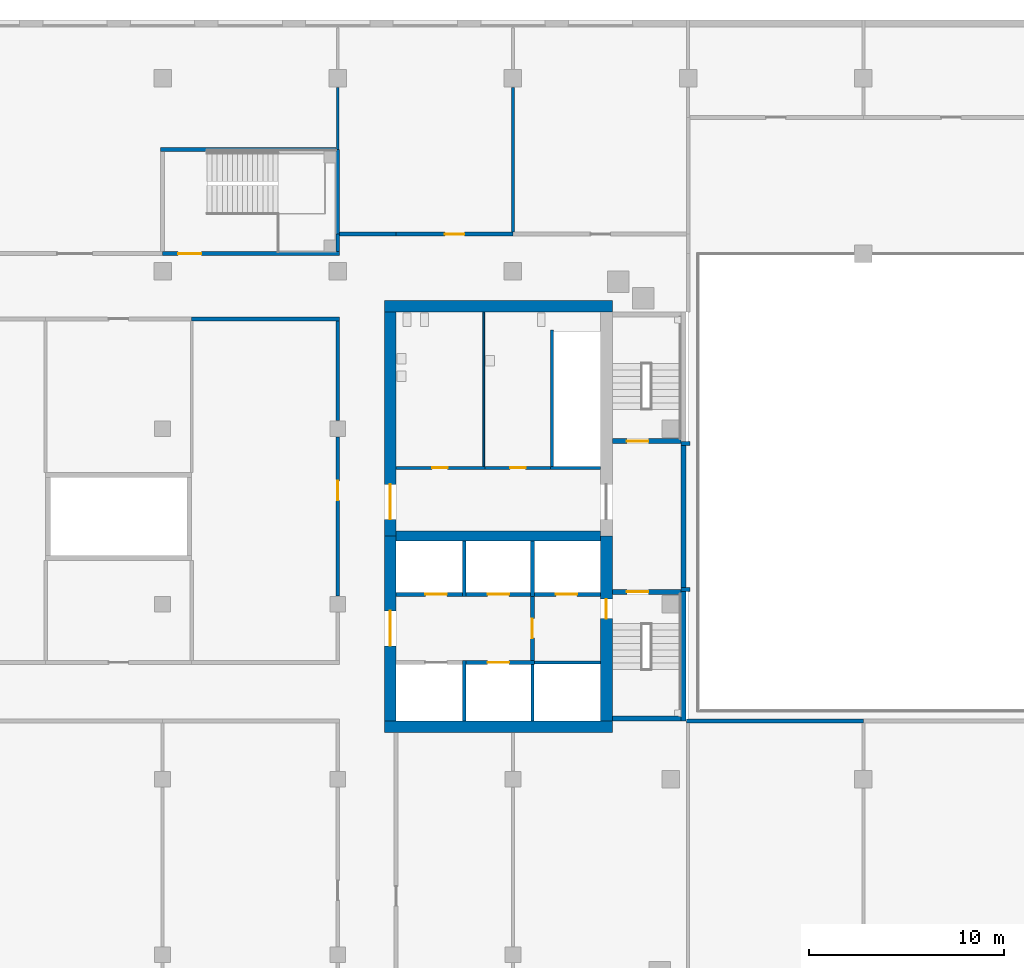
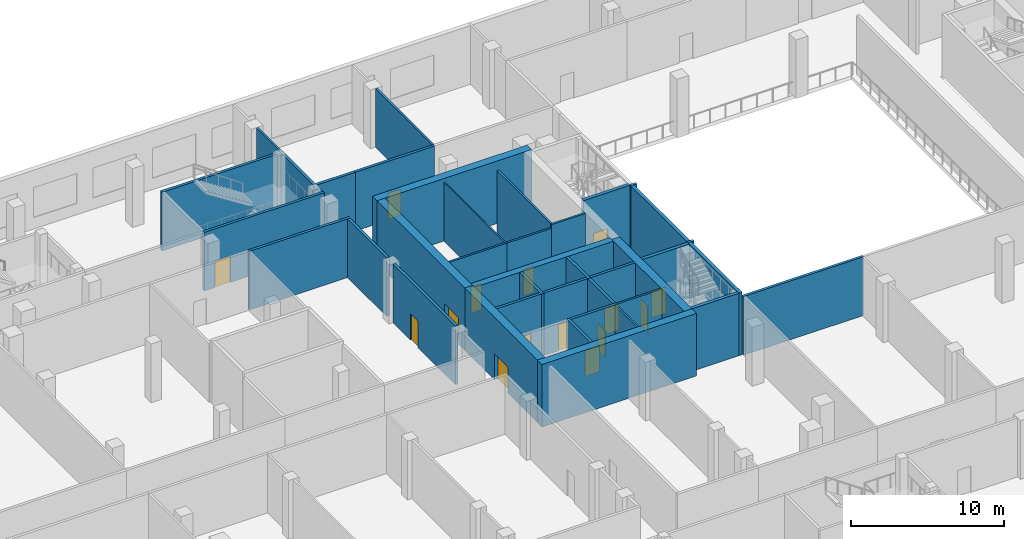
# One storey, part 6 of 21: 40 walls, 15 doors, 15 openings.
"""IFC4 building model written with IfcOpenShell, lengths in metres."""

from ifc_helpers import new_model, si_unit, direction, frame, frame_2d, origin, place, context, subcontext, project, spatial, rectangle, extrude, material, layer, layer_set, type_object, element, fill, save


model = new_model("IFC4")

# Units and contexts
model_context = context("Model", 3, precision=1e-05, world=origin(), true_north=direction((0.0, 1.0)))
body_context = subcontext(model_context, "Body", "Model", "MODEL_VIEW")
ifc_project = project(units=[si_unit("LENGTHUNIT", "METRE"), si_unit("AREAUNIT", "SQUARE_METRE"), si_unit("VOLUMEUNIT", "CUBIC_METRE"), si_unit("PLANEANGLEUNIT", "RADIAN"), si_unit("MASSUNIT", "GRAM", prefix="KILO")], contexts=[model_context])

# Site, building, storey
site_placement = place(None, origin())
site = spatial("IfcSite", under=ifc_project, at=site_placement, CompositionType="ELEMENT")
building_placement = place(site_placement, origin())
building = spatial("IfcBuilding", under=site, at=building_placement, Name="Cinnabar Reach Civic Tower", CompositionType="ELEMENT")
storey_placement = place(building_placement, frame((0.0, 0.0, 16.0)))
storey = spatial("IfcBuildingStorey", under=building, at=storey_placement, Name="L03", CompositionType="ELEMENT", Elevation=16.0)

# Walls
ifc_material_1 = material(Name="Concrete C60", Category="concrete")
ifc_layer_1 = layer(ifc_material_1, 0.5)
ifc_layer_set_1 = layer_set([ifc_layer_1], Name="Core wall 500 EI 180")
wall_type_1 = type_object("IfcWallType", Name="Core wall 500 EI 180", PredefinedType="SOLIDWALL", material=ifc_layer_set_1)
wall_1_placement = place(storey_placement, frame((-42.0, 30.5, 0.0), z_axis=(0.0, 0.0, 1.0), x_axis=(1.0, 0.0, 0.0)))
element("IfcWall", 1, at=wall_1_placement, inside=storey, type_object=wall_type_1, Name="Core spine wall T2 L03", PredefinedType="SOLIDWALL", context=body_context, shape_type="SweptSolid", body=[
    extrude(rectangle(XDim=10.5, YDim=0.5, at=frame_2d((5.25, 0.0))), origin(), (0.0, 0.0, 1.0), 5.0),
])
ifc_material_2 = material(Name="Concrete C70", Category="concrete")
ifc_layer_2 = layer(ifc_material_2, 0.6)
ifc_layer_set_2 = layer_set([ifc_layer_2], Name="Core wall 600 EI 180")
wall_type_2 = type_object("IfcWallType", Name="Core wall 600 EI 180", PredefinedType="SOLIDWALL", material=ifc_layer_set_2)
for number, where, z_axis, x_axis, name in (
    (2, (-42.6, 20.7, 0.0), (0.0, 0.0, 1.0), (1.0, 0.0, 0.0), "Core wall T2 L03 S"),
    (3, (-30.9, 42.3, 0.0), (0.0, 0.0, 1.0), (-1.0, 0.0, 0.0), "Core wall T2 L03 N"),
):
    element("IfcWall", number, at=place(storey_placement, frame(where, z_axis=z_axis, x_axis=x_axis)), inside=storey, type_object=wall_type_2, Name=name, PredefinedType="SOLIDWALL", context=body_context, shape_type="SweptSolid", body=[
        extrude(rectangle(XDim=11.7, YDim=0.6, at=frame_2d((5.85, 0.0))), origin(), (0.0, 0.0, 1.0), 5.0),
    ])

# Wall, opening, door
wall_2_placement = place(storey_placement, frame((-31.2, 21.0, 0.0), z_axis=(0.0, 0.0, 1.0), x_axis=(0.0, 1.0, 0.0)))
wall_2 = element("IfcWall", 4, at=wall_2_placement, inside=storey, type_object=wall_type_2, Name="Core wall T2 L03 E", PredefinedType="SOLIDWALL", context=body_context, shape_type="SweptSolid", body=[
    extrude(rectangle(XDim=9.5, YDim=0.6, at=frame_2d((4.75, 0.0))), origin(), (0.0, 0.0, 1.0), 5.0),
])
opening_1_placement = place(wall_2_placement, frame((5.25, 0.0, 0.0)))
opening_1 = element("IfcOpeningElement", 5, at=opening_1_placement, cuts=wall_2, Name="Opening D6069", PredefinedType="OPENING", context=body_context, shape_type="SweptSolid", body=[
    extrude(rectangle(XDim=1.0, YDim=2.1, at=frame_2d((0.5, 1.05))), frame((0.0, 0.31, 0.0), z_axis=(0.0, -1.0, 0.0), x_axis=(1.0, 0.0, 0.0)), (0.0, 0.0, 1.0), 0.62),
])
ifc_material_3 = material(Name="Steel fire door", Category="steel")
door_type_1 = type_object("IfcDoorType", Name="T2 Firefighting lobby door 1000", OperationType="SINGLE_SWING_LEFT", PredefinedType="DOOR", material=ifc_material_3)
door_1_placement = place(opening_1_placement, frame((1.0, 0.0, 0.0), z_axis=(0.0, 0.0, 1.0), x_axis=(-1.0, 0.0, 0.0)))
door_1 = element("IfcDoor", 6, at=door_1_placement, inside=storey, type_object=door_type_1, Name="T2 Firefighting lobby door D6069", OperationType="SINGLE_SWING_LEFT", OverallHeight=2.1, OverallWidth=1.0, PredefinedType="DOOR", context=body_context, shape_type="SweptSolid", body=[
    extrude(rectangle(XDim=1.0, YDim=2.1, at=frame_2d((0.5, 1.05))), frame((0.0, 0.025, 0.0), z_axis=(0.0, -1.0, 0.0), x_axis=(1.0, 0.0, 0.0)), (0.0, 0.0, 1.0), 0.05),
])
fill(opening_1, door_1)

wall_3_placement = place(storey_placement, frame((-42.3, 42.0, 0.0), z_axis=(0.0, 0.0, 1.0), x_axis=(0.0, -1.0, 0.0)))
wall_3 = element("IfcWall", 7, at=wall_3_placement, inside=storey, type_object=wall_type_2, Name="Core wall T2 L03 W", PredefinedType="SOLIDWALL", context=body_context, shape_type="SweptSolid", body=[
    extrude(rectangle(XDim=11.5, YDim=0.6, at=frame_2d((5.75, 0.0))), origin(), (0.0, 0.0, 1.0), 5.0),
])
opening_2_placement = place(wall_3_placement, frame((8.85, 0.0, 0.0)))
opening_2 = element("IfcOpeningElement", 8, at=opening_2_placement, cuts=wall_3, Name="Opening D6074", PredefinedType="OPENING", context=body_context, shape_type="SweptSolid", body=[
    extrude(rectangle(XDim=1.8, YDim=2.1, at=frame_2d((0.9, 1.05))), frame((0.0, 0.31, 0.0), z_axis=(0.0, -1.0, 0.0), x_axis=(1.0, 0.0, 0.0)), (0.0, 0.0, 1.0), 0.62),
])
door_type_2 = type_object("IfcDoorType", Name="T2 Double door 1800", OperationType="DOUBLE_DOOR_SINGLE_SWING", PredefinedType="DOOR", material=ifc_material_3)
door_2_placement = place(opening_2_placement, frame((1.8, 0.0, 0.0), z_axis=(0.0, 0.0, 1.0), x_axis=(-1.0, 0.0, 0.0)))
door_2 = element("IfcDoor", 9, at=door_2_placement, inside=storey, type_object=door_type_2, Name="T2 Double door D6074", OperationType="DOUBLE_DOOR_SINGLE_SWING", OverallHeight=2.1, OverallWidth=1.8, PredefinedType="DOOR", context=body_context, shape_type="SweptSolid", body=[
    extrude(rectangle(XDim=1.8, YDim=2.1, at=frame_2d((0.9, 1.05))), frame((0.0, 0.025, 0.0), z_axis=(0.0, -1.0, 0.0), x_axis=(1.0, 0.0, 0.0)), (0.0, 0.0, 1.0), 0.05),
])
fill(opening_2, door_2)

wall_4_placement = place(storey_placement, frame((-42.3, 30.5, 0.0), z_axis=(0.0, 0.0, 1.0), x_axis=(0.0, -1.0, 0.0)))
wall_4 = element("IfcWall", 10, at=wall_4_placement, inside=storey, type_object=wall_type_2, Name="Core wall T2 L03 W2", PredefinedType="SOLIDWALL", context=body_context, shape_type="SweptSolid", body=[
    extrude(rectangle(XDim=9.5, YDim=0.6, at=frame_2d((4.75, 0.0))), origin(), (0.0, 0.0, 1.0), 5.0),
])
opening_3_placement = place(wall_4_placement, frame((3.85, 0.0, 0.0)))
opening_3 = element("IfcOpeningElement", 11, at=opening_3_placement, cuts=wall_4, Name="Opening D6073", PredefinedType="OPENING", context=body_context, shape_type="SweptSolid", body=[
    extrude(rectangle(XDim=1.8, YDim=2.1, at=frame_2d((0.9, 1.05))), frame((0.0, 0.31, 0.0), z_axis=(0.0, -1.0, 0.0), x_axis=(1.0, 0.0, 0.0)), (0.0, 0.0, 1.0), 0.62),
])
door_3_placement = place(opening_3_placement, origin())
door_3 = element("IfcDoor", 12, at=door_3_placement, inside=storey, type_object=door_type_2, Name="T2 Double door D6073", OperationType="DOUBLE_DOOR_SINGLE_SWING", OverallHeight=2.1, OverallWidth=1.8, PredefinedType="DOOR", context=body_context, shape_type="SweptSolid", body=[
    extrude(rectangle(XDim=1.8, YDim=2.1, at=frame_2d((0.9, 1.05))), frame((0.0, 0.025, 0.0), z_axis=(0.0, -1.0, 0.0), x_axis=(1.0, 0.0, 0.0)), (0.0, 0.0, 1.0), 0.05),
])
fill(opening_3, door_3)

ifc_material_4 = material(Name="Concrete blockwork", Category="masonry")
ifc_layer_3 = layer(ifc_material_4, 0.2)
ifc_layer_set_3 = layer_set([ifc_layer_3], Name="Podium masonry corridor wall 200 EI 120")
wall_type_3 = type_object("IfcWallType", Name="Podium masonry corridor wall 200 EI 120", PredefinedType="PARTITIONING", material=ifc_layer_set_3)
wall_5_placement = place(storey_placement, frame((-45.0, 27.42, 0.0), z_axis=(0.0, 0.0, 1.0), x_axis=(0.0, 1.0, 0.0)))
wall_5 = element("IfcWall", 13, at=wall_5_placement, inside=storey, type_object=wall_type_3, Name="Wall L03 71", PredefinedType="PARTITIONING", context=body_context, shape_type="SweptSolid", body=[
    extrude(rectangle(XDim=8.16, YDim=0.2, at=frame_2d((4.08, 0.0))), origin(), (0.0, 0.0, 1.0), 4.7),
])
opening_4_placement = place(wall_5_placement, frame((4.905, 0.0, 0.0)))
opening_4 = element("IfcOpeningElement", 14, at=opening_4_placement, cuts=wall_5, Name="Opening D1197", PredefinedType="OPENING", context=body_context, shape_type="SweptSolid", body=[
    extrude(rectangle(XDim=1.0, YDim=2.1, at=frame_2d((0.5, 1.05))), frame((0.0, 0.11, 0.0), z_axis=(0.0, -1.0, 0.0), x_axis=(1.0, 0.0, 0.0)), (0.0, 0.0, 1.0), 0.22),
])
ifc_material_5 = material(Name="Painted steel door leaf", Category="steel")
door_type_3 = type_object("IfcDoorType", Name="Podium single door 1000x2100", OperationType="SINGLE_SWING_LEFT", PredefinedType="DOOR", material=ifc_material_5)
door_4_placement = place(opening_4_placement, origin())
door_4 = element("IfcDoor", 15, at=door_4_placement, inside=storey, type_object=door_type_3, Name="Door D1197", OperationType="SINGLE_SWING_RIGHT", OverallHeight=2.1, OverallWidth=1.0, PredefinedType="DOOR", context=body_context, shape_type="SweptSolid", body=[
    extrude(rectangle(XDim=1.0, YDim=2.1, at=frame_2d((0.5, 1.05))), frame((0.0, 0.025, 0.0), z_axis=(0.0, -1.0, 0.0), x_axis=(1.0, 0.0, 0.0)), (0.0, 0.0, 1.0), 0.05),
])
fill(opening_4, door_4)

# Walls
wall_6_placement = place(storey_placement, frame((-45.0, 36.42, 0.0), z_axis=(0.0, 0.0, 1.0), x_axis=(0.0, 1.0, 0.0)))
element("IfcWall", 16, at=wall_6_placement, inside=storey, type_object=wall_type_3, Name="Wall L03 72", PredefinedType="PARTITIONING", context=body_context, shape_type="SweptSolid", body=[
    extrude(rectangle(XDim=5.13, YDim=0.2, at=frame_2d((2.565, 0.0))), origin(), (0.0, 0.0, 1.0), 4.7),
])
wall_7_placement = place(storey_placement, frame((-52.5, 41.65, 0.0), z_axis=(0.0, 0.0, 1.0), x_axis=(1.0, 0.0, 0.0)))
element("IfcWall", 17, at=wall_7_placement, inside=storey, type_object=wall_type_3, Name="Wall L03 85", PredefinedType="PARTITIONING", context=body_context, shape_type="SweptSolid", body=[
    extrude(rectangle(XDim=7.6, YDim=0.2, at=frame_2d((3.8, 0.0))), origin(), (0.0, 0.0, 1.0), 4.7),
])
wall_8_placement = place(storey_placement, frame((-44.9, 46.0, 0.0), z_axis=(0.0, 0.0, 1.0), x_axis=(1.0, 0.0, 0.0)))
element("IfcWall", 18, at=wall_8_placement, inside=storey, type_object=wall_type_3, Name="Wall L03 89", PredefinedType="PARTITIONING", context=body_context, shape_type="SweptSolid", body=[
    extrude(rectangle(XDim=2.9, YDim=0.2, at=frame_2d((1.45, 0.0))), origin(), (0.0, 0.0, 1.0), 4.7),
])

# Wall, opening, door
wall_9_placement = place(storey_placement, frame((-42.0, 46.0, 0.0), z_axis=(0.0, 0.0, 1.0), x_axis=(1.0, 0.0, 0.0)))
wall_9 = element("IfcWall", 19, at=wall_9_placement, inside=storey, type_object=wall_type_3, Name="Wall L03 92", PredefinedType="PARTITIONING", context=body_context, shape_type="SweptSolid", body=[
    extrude(rectangle(XDim=6.0, YDim=0.2, at=frame_2d((3.0, 0.0))), origin(), (0.0, 0.0, 1.0), 4.7),
])
opening_5_placement = place(wall_9_placement, frame((2.5, 0.0, 0.0)))
opening_5 = element("IfcOpeningElement", 20, at=opening_5_placement, cuts=wall_9, Name="Opening D1206", PredefinedType="OPENING", context=body_context, shape_type="SweptSolid", body=[
    extrude(rectangle(XDim=1.0, YDim=2.1, at=frame_2d((0.5, 1.05))), frame((0.0, 0.11, 0.0), z_axis=(0.0, -1.0, 0.0), x_axis=(1.0, 0.0, 0.0)), (0.0, 0.0, 1.0), 0.22),
])
door_5_placement = place(opening_5_placement, origin())
door_5 = element("IfcDoor", 21, at=door_5_placement, inside=storey, type_object=door_type_3, Name="Door D1206", OperationType="SINGLE_SWING_LEFT", OverallHeight=2.1, OverallWidth=1.0, PredefinedType="DOOR", context=body_context, shape_type="SweptSolid", body=[
    extrude(rectangle(XDim=1.0, YDim=2.1, at=frame_2d((0.5, 1.05))), frame((0.0, 0.025, 0.0), z_axis=(0.0, -1.0, 0.0), x_axis=(1.0, 0.0, 0.0)), (0.0, 0.0, 1.0), 0.05),
])
fill(opening_5, door_5)

# Walls
wall_10_placement = place(storey_placement, frame((-27.075, 21.0, 0.0), z_axis=(0.0, 0.0, 1.0), x_axis=(1.0, 0.0, 0.0)))
element("IfcWall", 22, at=wall_10_placement, inside=storey, type_object=wall_type_3, Name="Wall L03 129", PredefinedType="PARTITIONING", context=body_context, shape_type="SweptSolid", body=[
    extrude(rectangle(XDim=9.075, YDim=0.2, at=frame_2d((4.5375, 0.0))), origin(), (0.0, 0.0, 1.0), 4.7),
])
ifc_material_6 = material(Name="Gypsum board on steel studs", Category="steel")
ifc_layer_4 = layer(ifc_material_6, 0.15)
ifc_layer_set_4 = layer_set([ifc_layer_4], Name="Podium partition wall 150 EI 90")
wall_type_4 = type_object("IfcWallType", Name="Podium partition wall 150 EI 90", PredefinedType="PARTITIONING", material=ifc_layer_set_4)
wall_11_placement = place(storey_placement, frame((-45.0, 50.35, 0.0), z_axis=(0.0, 0.0, 1.0), x_axis=(0.0, 1.0, 0.0)))
element("IfcWall", 23, at=wall_11_placement, inside=storey, type_object=wall_type_4, Name="Wall L03 214", PredefinedType="PARTITIONING", context=body_context, shape_type="SweptSolid", body=[
    extrude(rectangle(XDim=3.18, YDim=0.15, at=frame_2d((1.59, 0.0))), origin(), (0.0, 0.0, 1.0), 4.7),
])
wall_12_placement = place(storey_placement, frame((-36.0, 46.1, 0.0), z_axis=(0.0, 0.0, 1.0), x_axis=(0.0, 1.0, 0.0)))
element("IfcWall", 24, at=wall_12_placement, inside=storey, type_object=wall_type_4, Name="Wall L03 216", PredefinedType="PARTITIONING", context=body_context, shape_type="SweptSolid", body=[
    extrude(rectangle(XDim=7.43, YDim=0.15, at=frame_2d((3.715, 0.0))), origin(), (0.0, 0.0, 1.0), 4.7),
])
ifc_material_7 = material(Name="Concrete C40", Category="concrete")
ifc_layer_5 = layer(ifc_material_7, 0.2)
ifc_layer_set_5 = layer_set([ifc_layer_5], Name="Podium stair shaft wall 200 EI 120")
wall_type_5 = type_object("IfcWallType", Name="Podium stair shaft wall 200 EI 120", PredefinedType="SOLIDWALL", material=ifc_layer_set_5)
wall_13_placement = place(storey_placement, frame((-45.0, 45.1, 0.0), z_axis=(0.0, 0.0, 1.0), x_axis=(0.0, 1.0, 0.0)))
element("IfcWall", 25, at=wall_13_placement, inside=storey, type_object=wall_type_5, Name="Wall L03 28", PredefinedType="SOLIDWALL", context=body_context, shape_type="SweptSolid", body=[
    extrude(rectangle(XDim=0.9, YDim=0.2, at=frame_2d((0.45, 0.0))), origin(), (0.0, 0.0, 1.0), 4.7),
])

# Wall, opening, door
wall_14_placement = place(storey_placement, frame((-54.0, 45.0, 0.0), z_axis=(0.0, 0.0, 1.0), x_axis=(1.0, 0.0, 0.0)))
wall_14 = element("IfcWall", 26, at=wall_14_placement, inside=storey, type_object=wall_type_5, Name="Wall L03 29", PredefinedType="SOLIDWALL", context=body_context, shape_type="SweptSolid", body=[
    extrude(rectangle(XDim=9.1, YDim=0.2, at=frame_2d((4.55, 0.0))), origin(), (0.0, 0.0, 1.0), 4.7),
])
opening_6_placement = place(wall_14_placement, frame((0.8, 0.0, 0.0)))
opening_6 = element("IfcOpeningElement", 27, at=opening_6_placement, cuts=wall_14, Name="Opening D1219", PredefinedType="OPENING", context=body_context, shape_type="SweptSolid", body=[
    extrude(rectangle(XDim=1.2, YDim=2.1, at=frame_2d((0.6, 1.05))), frame((0.0, 0.11, 0.0), z_axis=(0.0, -1.0, 0.0), x_axis=(1.0, 0.0, 0.0)), (0.0, 0.0, 1.0), 0.22),
])
door_type_4 = type_object("IfcDoorType", Name="Podium single door 1200x2100", OperationType="SINGLE_SWING_LEFT", PredefinedType="DOOR", material=ifc_material_5)
door_6_placement = place(opening_6_placement, origin())
door_6 = element("IfcDoor", 28, at=door_6_placement, inside=storey, type_object=door_type_4, Name="Door D1219", OperationType="SINGLE_SWING_LEFT", OverallHeight=2.1, OverallWidth=1.2, PredefinedType="DOOR", context=body_context, shape_type="SweptSolid", body=[
    extrude(rectangle(XDim=1.2, YDim=2.1, at=frame_2d((0.6, 1.05))), frame((0.0, 0.025, 0.0), z_axis=(0.0, -1.0, 0.0), x_axis=(1.0, 0.0, 0.0)), (0.0, 0.0, 1.0), 0.05),
])
fill(opening_6, door_6)

# Walls
wall_15_placement = place(storey_placement, frame((-54.1, 50.35, 0.0), z_axis=(0.0, 0.0, 1.0), x_axis=(1.0, 0.0, 0.0)))
element("IfcWall", 29, at=wall_15_placement, inside=storey, type_object=wall_type_5, Name="Wall L03 30", PredefinedType="SOLIDWALL", context=body_context, shape_type="SweptSolid", body=[
    extrude(rectangle(XDim=9.0, YDim=0.2, at=frame_2d((4.5, 0.0))), origin(), (0.0, 0.0, 1.0), 4.7),
])
wall_16_placement = place(storey_placement, frame((-45.0, 46.0, 0.0), z_axis=(0.0, 0.0, 1.0), x_axis=(0.0, 1.0, 0.0)))
element("IfcWall", 30, at=wall_16_placement, inside=storey, type_object=wall_type_5, Name="Wall L03 32", PredefinedType="SOLIDWALL", context=body_context, shape_type="SweptSolid", body=[
    extrude(rectangle(XDim=4.35, YDim=0.2, at=frame_2d((2.175, 0.0))), origin(), (0.0, 0.0, 1.0), 4.7),
])
ifc_layer_6 = layer(ifc_material_1, 0.25)
ifc_layer_set_6 = layer_set([ifc_layer_6], Name="Stair shaft wall 250 EI 120")
wall_type_6 = type_object("IfcWallType", Name="Stair shaft wall 250 EI 120", PredefinedType="SOLIDWALL", material=ifc_layer_set_6)
wall_17_placement = place(storey_placement, frame((-30.9, 21.125, 0.0), z_axis=(0.0, 0.0, 1.0), x_axis=(1.0, 0.0, 0.0)))
element("IfcWall", 31, at=wall_17_placement, inside=storey, type_object=wall_type_6, Name="Stair shaft wall T2-S1 L03", PredefinedType="SOLIDWALL", context=body_context, shape_type="SweptSolid", body=[
    extrude(rectangle(XDim=3.54, YDim=0.25, at=frame_2d((1.77, 0.0))), origin(), (0.0, 0.0, 1.0), 5.0),
])

# Wall, opening, door
wall_18_placement = place(storey_placement, frame((-27.36, 27.625, 0.0), z_axis=(0.0, 0.0, 1.0), x_axis=(-1.0, 0.0, 0.0)))
wall_18 = element("IfcWall", 32, at=wall_18_placement, inside=storey, type_object=wall_type_6, Name="Stair shaft wall T2-S1 L03", PredefinedType="SOLIDWALL", context=body_context, shape_type="SweptSolid", body=[
    extrude(rectangle(XDim=3.54, YDim=0.25, at=frame_2d((1.77, 0.0))), origin(), (0.0, 0.0, 1.0), 5.0),
])
opening_7_placement = place(wall_18_placement, frame((1.69, 0.0, 0.0)))
opening_7 = element("IfcOpeningElement", 33, at=opening_7_placement, cuts=wall_18, Name="Opening D6070", PredefinedType="OPENING", context=body_context, shape_type="SweptSolid", body=[
    extrude(rectangle(XDim=1.1, YDim=2.1, at=frame_2d((0.55, 1.05))), frame((0.0, 0.135, 0.0), z_axis=(0.0, -1.0, 0.0), x_axis=(1.0, 0.0, 0.0)), (0.0, 0.0, 1.0), 0.27),
])
door_type_5 = type_object("IfcDoorType", Name="T2 Stair door 1100", OperationType="SINGLE_SWING_LEFT", PredefinedType="DOOR", material=ifc_material_3)
door_7_placement = place(opening_7_placement, origin())
door_7 = element("IfcDoor", 34, at=door_7_placement, inside=storey, type_object=door_type_5, Name="T2 Stair door D6070", OperationType="SINGLE_SWING_LEFT", OverallHeight=2.1, OverallWidth=1.1, PredefinedType="DOOR", context=body_context, shape_type="SweptSolid", body=[
    extrude(rectangle(XDim=1.1, YDim=2.1, at=frame_2d((0.55, 1.05))), frame((0.0, 0.025, 0.0), z_axis=(0.0, -1.0, 0.0), x_axis=(1.0, 0.0, 0.0)), (0.0, 0.0, 1.0), 0.05),
])
fill(opening_7, door_7)

wall_19_placement = place(storey_placement, frame((-30.9, 35.375, 0.0), z_axis=(0.0, 0.0, 1.0), x_axis=(1.0, 0.0, 0.0)))
wall_19 = element("IfcWall", 35, at=wall_19_placement, inside=storey, type_object=wall_type_6, Name="Stair shaft wall T2-S2 L03", PredefinedType="SOLIDWALL", context=body_context, shape_type="SweptSolid", body=[
    extrude(rectangle(XDim=3.54, YDim=0.25, at=frame_2d((1.77, 0.0))), origin(), (0.0, 0.0, 1.0), 5.0),
])
opening_8_placement = place(wall_19_placement, frame((0.75, 0.0, 0.0)))
opening_8 = element("IfcOpeningElement", 36, at=opening_8_placement, cuts=wall_19, Name="Opening D6071", PredefinedType="OPENING", context=body_context, shape_type="SweptSolid", body=[
    extrude(rectangle(XDim=1.1, YDim=2.1, at=frame_2d((0.55, 1.05))), frame((0.0, 0.135, 0.0), z_axis=(0.0, -1.0, 0.0), x_axis=(1.0, 0.0, 0.0)), (0.0, 0.0, 1.0), 0.27),
])
door_8_placement = place(opening_8_placement, origin())
door_8 = element("IfcDoor", 37, at=door_8_placement, inside=storey, type_object=door_type_5, Name="T2 Stair door D6071", OperationType="SINGLE_SWING_RIGHT", OverallHeight=2.1, OverallWidth=1.1, PredefinedType="DOOR", context=body_context, shape_type="SweptSolid", body=[
    extrude(rectangle(XDim=1.1, YDim=2.1, at=frame_2d((0.55, 1.05))), frame((0.0, 0.025, 0.0), z_axis=(0.0, -1.0, 0.0), x_axis=(1.0, 0.0, 0.0)), (0.0, 0.0, 1.0), 0.05),
])
fill(opening_8, door_8)

# Walls
wall_20_placement = place(storey_placement, frame((-27.235, 21.0, 0.0), z_axis=(0.0, 0.0, 1.0), x_axis=(0.0, 1.0, 0.0)))
element("IfcWall", 38, at=wall_20_placement, inside=storey, type_object=wall_type_6, Name="Stair shaft wall T2-STRIP L03", PredefinedType="SOLIDWALL", context=body_context, shape_type="SweptSolid", body=[
    extrude(rectangle(XDim=6.65, YDim=0.25, at=frame_2d((3.325, 0.0))), origin(), (0.0, 0.0, 1.0), 5.0),
])
wall_21_placement = place(storey_placement, frame((-27.235, 27.85, 0.0), z_axis=(0.0, 0.0, 1.0), x_axis=(0.0, 1.0, 0.0)))
element("IfcWall", 39, at=wall_21_placement, inside=storey, type_object=wall_type_6, Name="Stair shaft wall T2-STRIP L03", PredefinedType="SOLIDWALL", context=body_context, shape_type="SweptSolid", body=[
    extrude(rectangle(XDim=7.3, YDim=0.25, at=frame_2d((3.65, 0.0))), origin(), (0.0, 0.0, 1.0), 5.0),
])

# Wall, opening, door
ifc_material_8 = material(Name="Masonry block partition", Category="masonry")
ifc_layer_7 = layer(ifc_material_8, 0.15)
ifc_layer_set_7 = layer_set([ifc_layer_7], Name="T2 Corridor wall 150")
wall_type_7 = type_object("IfcWallType", Name="T2 Corridor wall 150", PredefinedType="PARTITIONING", material=ifc_layer_set_7)
wall_22_placement = place(storey_placement, frame((-37.425, 34.0, 0.0), z_axis=(0.0, 0.0, 1.0), x_axis=(-1.0, 0.0, 0.0)))
wall_22 = element("IfcWall", 40, at=wall_22_placement, inside=storey, type_object=wall_type_7, Name="T2 Corridor wall L03 016", PredefinedType="PARTITIONING", context=body_context, shape_type="SweptSolid", body=[
    extrude(rectangle(XDim=4.575, YDim=0.15, at=frame_2d((2.2875, 0.0))), origin(), (0.0, 0.0, 1.0), 4.7),
])
opening_9_placement = place(wall_22_placement, frame((1.925, 0.0, 0.0)))
opening_9 = element("IfcOpeningElement", 41, at=opening_9_placement, cuts=wall_22, Name="Opening D6075", PredefinedType="OPENING", context=body_context, shape_type="SweptSolid", body=[
    extrude(rectangle(XDim=0.8, YDim=2.1, at=frame_2d((0.4, 1.05))), frame((0.0, 0.085, 0.0), z_axis=(0.0, -1.0, 0.0), x_axis=(1.0, 0.0, 0.0)), (0.0, 0.0, 1.0), 0.17),
])
ifc_material_9 = material(Name="Timber door leaf", Category="wood")
door_type_6 = type_object("IfcDoorType", Name="T2 Bathroom door 800", OperationType="SINGLE_SWING_LEFT", PredefinedType="DOOR", material=ifc_material_9)
door_9_placement = place(opening_9_placement, frame((0.8, 0.0, 0.0), z_axis=(0.0, 0.0, 1.0), x_axis=(-1.0, 0.0, 0.0)))
door_9 = element("IfcDoor", 42, at=door_9_placement, inside=storey, type_object=door_type_6, Name="T2 Bathroom door D6075", OperationType="SINGLE_SWING_LEFT", OverallHeight=2.1, OverallWidth=0.8, PredefinedType="DOOR", context=body_context, shape_type="SweptSolid", body=[
    extrude(rectangle(XDim=0.8, YDim=2.1, at=frame_2d((0.4, 1.05))), frame((0.0, 0.025, 0.0), z_axis=(0.0, -1.0, 0.0), x_axis=(1.0, 0.0, 0.0)), (0.0, 0.0, 1.0), 0.05),
])
fill(opening_9, door_9)

wall_23_placement = place(storey_placement, frame((-34.075, 34.0, 0.0), z_axis=(0.0, 0.0, 1.0), x_axis=(-1.0, 0.0, 0.0)))
wall_23 = element("IfcWall", 43, at=wall_23_placement, inside=storey, type_object=wall_type_7, Name="T2 Corridor wall L03 017", PredefinedType="PARTITIONING", context=body_context, shape_type="SweptSolid", body=[
    extrude(rectangle(XDim=3.35, YDim=0.15, at=frame_2d((1.675, 0.0))), origin(), (0.0, 0.0, 1.0), 4.7),
])
opening_10_placement = place(wall_23_placement, frame((1.275, 0.0, 0.0)))
opening_10 = element("IfcOpeningElement", 44, at=opening_10_placement, cuts=wall_23, Name="Opening D6076", PredefinedType="OPENING", context=body_context, shape_type="SweptSolid", body=[
    extrude(rectangle(XDim=0.8, YDim=2.1, at=frame_2d((0.4, 1.05))), frame((0.0, 0.085, 0.0), z_axis=(0.0, -1.0, 0.0), x_axis=(1.0, 0.0, 0.0)), (0.0, 0.0, 1.0), 0.17),
])
door_10_placement = place(opening_10_placement, frame((0.8, 0.0, 0.0), z_axis=(0.0, 0.0, 1.0), x_axis=(-1.0, 0.0, 0.0)))
door_10 = element("IfcDoor", 45, at=door_10_placement, inside=storey, type_object=door_type_6, Name="T2 Bathroom door D6076", OperationType="SINGLE_SWING_RIGHT", OverallHeight=2.1, OverallWidth=0.8, PredefinedType="DOOR", context=body_context, shape_type="SweptSolid", body=[
    extrude(rectangle(XDim=0.8, YDim=2.1, at=frame_2d((0.4, 1.05))), frame((0.0, 0.025, 0.0), z_axis=(0.0, -1.0, 0.0), x_axis=(1.0, 0.0, 0.0)), (0.0, 0.0, 1.0), 0.05),
])
fill(opening_10, door_10)

# Walls
ifc_material_10 = material(Name="Gypsum board partition")
ifc_layer_8 = layer(ifc_material_10, 0.1)
ifc_layer_set_8 = layer_set([ifc_layer_8], Name="T2 Internal partition 100")
wall_type_8 = type_object("IfcWallType", Name="T2 Internal partition 100", PredefinedType="PARTITIONING", material=ifc_layer_set_8)
wall_24_placement = place(storey_placement, frame((-37.5, 34.075, 0.0), z_axis=(0.0, 0.0, 1.0), x_axis=(0.0, 1.0, 0.0)))
element("IfcWall", 46, at=wall_24_placement, inside=storey, type_object=wall_type_8, Name="T2 Internal partition L03 018", PredefinedType="PARTITIONING", context=body_context, shape_type="SweptSolid", body=[
    extrude(rectangle(XDim=7.925, YDim=0.1, at=frame_2d((3.9625, 0.0))), origin(), (0.0, 0.0, 1.0), 4.7),
])
ifc_layer_9 = layer(ifc_material_7, 0.15)
ifc_layer_set_9 = layer_set([ifc_layer_9], Name="T2 Riser wall 150")
wall_type_9 = type_object("IfcWallType", Name="T2 Riser wall 150", PredefinedType="SOLIDWALL", material=ifc_layer_set_9)
wall_25_placement = place(storey_placement, frame((-35.0, 21.0, 0.0), z_axis=(0.0, 0.0, 1.0), x_axis=(0.0, 1.0, 0.0)))
element("IfcWall", 47, at=wall_25_placement, inside=storey, type_object=wall_type_9, Name="T2 Riser wall L03 012", PredefinedType="SOLIDWALL", context=body_context, shape_type="SweptSolid", body=[
    extrude(rectangle(XDim=2.9, YDim=0.15, at=frame_2d((1.45, 0.0))), origin(), (0.0, 0.0, 1.0), 5.0),
])
wall_26_placement = place(storey_placement, frame((-31.5, 24.0, 0.0), z_axis=(0.0, 0.0, 1.0), x_axis=(-1.0, 0.0, 0.0)))
element("IfcWall", 48, at=wall_26_placement, inside=storey, type_object=wall_type_9, Name="T2 Riser wall L03 013", PredefinedType="SOLIDWALL", context=body_context, shape_type="SweptSolid", body=[
    extrude(rectangle(XDim=3.4, YDim=0.15, at=frame_2d((1.7, 0.0))), origin(), (0.0, 0.0, 1.0), 5.0),
])
wall_27_placement = place(storey_placement, frame((-34.075, 34.0, 0.0), z_axis=(0.0, 0.0, 1.0), x_axis=(1.0, 0.0, 0.0)))
element("IfcWall", 49, at=wall_27_placement, inside=storey, type_object=wall_type_9, Name="T2 Riser wall L03 014", PredefinedType="SOLIDWALL", context=body_context, shape_type="SweptSolid", body=[
    extrude(rectangle(XDim=2.575, YDim=0.15, at=frame_2d((1.2875, 0.0))), origin(), (0.0, 0.0, 1.0), 5.0),
])
wall_28_placement = place(storey_placement, frame((-34.0, 41.075, 0.0), z_axis=(0.0, 0.0, 1.0), x_axis=(0.0, -1.0, 0.0)))
element("IfcWall", 50, at=wall_28_placement, inside=storey, type_object=wall_type_9, Name="T2 Riser wall L03 015", PredefinedType="SOLIDWALL", context=body_context, shape_type="SweptSolid", body=[
    extrude(rectangle(XDim=7.0, YDim=0.15, at=frame_2d((3.5, 0.0))), origin(), (0.0, 0.0, 1.0), 5.0),
])
ifc_layer_10 = layer(ifc_material_7, 0.2)
ifc_layer_set_10 = layer_set([ifc_layer_10], Name="T2 Shaft wall 200")
wall_type_10 = type_object("IfcWallType", Name="T2 Shaft wall 200", PredefinedType="SOLIDWALL", material=ifc_layer_set_10)
wall_29_placement = place(storey_placement, frame((-38.5, 21.0, 0.0), z_axis=(0.0, 0.0, 1.0), x_axis=(0.0, 1.0, 0.0)))
element("IfcWall", 51, at=wall_29_placement, inside=storey, type_object=wall_type_10, Name="T2 Shaft wall L03 001", PredefinedType="SOLIDWALL", context=body_context, shape_type="SweptSolid", body=[
    extrude(rectangle(XDim=3.1, YDim=0.2, at=frame_2d((1.55, 0.0))), origin(), (0.0, 0.0, 1.0), 5.0),
])

# Wall, opening, door
wall_30_placement = place(storey_placement, frame((-34.9, 24.0, 0.0), z_axis=(0.0, 0.0, 1.0), x_axis=(-1.0, 0.0, 0.0)))
wall_30 = element("IfcWall", 52, at=wall_30_placement, inside=storey, type_object=wall_type_10, Name="T2 Shaft wall L03 003", PredefinedType="SOLIDWALL", context=body_context, shape_type="SweptSolid", body=[
    extrude(rectangle(XDim=3.5, YDim=0.2, at=frame_2d((1.75, 0.0))), origin(), (0.0, 0.0, 1.0), 5.0),
])
opening_11_placement = place(wall_30_placement, frame((1.3, 0.0, 0.0)))
opening_11 = element("IfcOpeningElement", 53, at=opening_11_placement, cuts=wall_30, Name="Opening D6064", PredefinedType="OPENING", context=body_context, shape_type="SweptSolid", body=[
    extrude(rectangle(XDim=1.1, YDim=2.1, at=frame_2d((0.55, 1.05))), frame((0.0, 0.11, 0.0), z_axis=(0.0, -1.0, 0.0), x_axis=(1.0, 0.0, 0.0)), (0.0, 0.0, 1.0), 0.22),
])
door_type_7 = type_object("IfcDoorType", Name="T2 Lift landing door 1100", OperationType="SLIDING_TO_LEFT", PredefinedType="DOOR", material=ifc_material_3)
door_11_placement = place(opening_11_placement, origin())
door_11 = element("IfcDoor", 54, at=door_11_placement, inside=storey, type_object=door_type_7, Name="T2 Lift landing door D6064", OperationType="SLIDING_TO_LEFT", OverallHeight=2.1, OverallWidth=1.1, PredefinedType="DOOR", context=body_context, shape_type="SweptSolid", body=[
    extrude(rectangle(XDim=1.1, YDim=2.1, at=frame_2d((0.55, 1.05))), frame((0.0, 0.025, 0.0), z_axis=(0.0, -1.0, 0.0), x_axis=(1.0, 0.0, 0.0)), (0.0, 0.0, 1.0), 0.05),
])
fill(opening_11, door_11)

# Wall
wall_31_placement = place(storey_placement, frame((-38.5, 27.4, 0.0), z_axis=(0.0, 0.0, 1.0), x_axis=(0.0, 1.0, 0.0)))
element("IfcWall", 55, at=wall_31_placement, inside=storey, type_object=wall_type_10, Name="T2 Shaft wall L03 004", PredefinedType="SOLIDWALL", context=body_context, shape_type="SweptSolid", body=[
    extrude(rectangle(XDim=2.85, YDim=0.2, at=frame_2d((1.425, 0.0))), origin(), (0.0, 0.0, 1.0), 5.0),
])

# Wall, opening, door
wall_32_placement = place(storey_placement, frame((-42.0, 27.5, 0.0), z_axis=(0.0, 0.0, 1.0), x_axis=(1.0, 0.0, 0.0)))
wall_32 = element("IfcWall", 56, at=wall_32_placement, inside=storey, type_object=wall_type_10, Name="T2 Shaft wall L03 005", PredefinedType="SOLIDWALL", context=body_context, shape_type="SweptSolid", body=[
    extrude(rectangle(XDim=3.4, YDim=0.2, at=frame_2d((1.7, 0.0))), origin(), (0.0, 0.0, 1.0), 5.0),
])
opening_12_placement = place(wall_32_placement, frame((1.5, 0.0, 0.0)))
opening_12 = element("IfcOpeningElement", 57, at=opening_12_placement, cuts=wall_32, Name="Opening D6065", PredefinedType="OPENING", context=body_context, shape_type="SweptSolid", body=[
    extrude(rectangle(XDim=1.1, YDim=2.1, at=frame_2d((0.55, 1.05))), frame((0.0, 0.11, 0.0), z_axis=(0.0, -1.0, 0.0), x_axis=(1.0, 0.0, 0.0)), (0.0, 0.0, 1.0), 0.22),
])
door_12_placement = place(opening_12_placement, origin())
door_12 = element("IfcDoor", 58, at=door_12_placement, inside=storey, type_object=door_type_7, Name="T2 Lift landing door D6065", OperationType="SLIDING_TO_LEFT", OverallHeight=2.1, OverallWidth=1.1, PredefinedType="DOOR", context=body_context, shape_type="SweptSolid", body=[
    extrude(rectangle(XDim=1.1, YDim=2.1, at=frame_2d((0.55, 1.05))), frame((0.0, 0.025, 0.0), z_axis=(0.0, -1.0, 0.0), x_axis=(1.0, 0.0, 0.0)), (0.0, 0.0, 1.0), 0.05),
])
fill(opening_12, door_12)

# Wall
wall_33_placement = place(storey_placement, frame((-35.0, 27.4, 0.0), z_axis=(0.0, 0.0, 1.0), x_axis=(0.0, 1.0, 0.0)))
element("IfcWall", 59, at=wall_33_placement, inside=storey, type_object=wall_type_10, Name="T2 Shaft wall L03 006", PredefinedType="SOLIDWALL", context=body_context, shape_type="SweptSolid", body=[
    extrude(rectangle(XDim=2.85, YDim=0.2, at=frame_2d((1.425, 0.0))), origin(), (0.0, 0.0, 1.0), 5.0),
])

# Wall, opening, door
wall_34_placement = place(storey_placement, frame((-38.4, 27.5, 0.0), z_axis=(0.0, 0.0, 1.0), x_axis=(1.0, 0.0, 0.0)))
wall_34 = element("IfcWall", 60, at=wall_34_placement, inside=storey, type_object=wall_type_10, Name="T2 Shaft wall L03 007", PredefinedType="SOLIDWALL", context=body_context, shape_type="SweptSolid", body=[
    extrude(rectangle(XDim=3.3, YDim=0.2, at=frame_2d((1.65, 0.0))), origin(), (0.0, 0.0, 1.0), 5.0),
])
opening_13_placement = place(wall_34_placement, frame((1.1, 0.0, 0.0)))
opening_13 = element("IfcOpeningElement", 61, at=opening_13_placement, cuts=wall_34, Name="Opening D6066", PredefinedType="OPENING", context=body_context, shape_type="SweptSolid", body=[
    extrude(rectangle(XDim=1.1, YDim=2.1, at=frame_2d((0.55, 1.05))), frame((0.0, 0.11, 0.0), z_axis=(0.0, -1.0, 0.0), x_axis=(1.0, 0.0, 0.0)), (0.0, 0.0, 1.0), 0.22),
])
door_13_placement = place(opening_13_placement, origin())
door_13 = element("IfcDoor", 62, at=door_13_placement, inside=storey, type_object=door_type_7, Name="T2 Lift landing door D6066", OperationType="SLIDING_TO_LEFT", OverallHeight=2.1, OverallWidth=1.1, PredefinedType="DOOR", context=body_context, shape_type="SweptSolid", body=[
    extrude(rectangle(XDim=1.1, YDim=2.1, at=frame_2d((0.55, 1.05))), frame((0.0, 0.025, 0.0), z_axis=(0.0, -1.0, 0.0), x_axis=(1.0, 0.0, 0.0)), (0.0, 0.0, 1.0), 0.05),
])
fill(opening_13, door_13)

wall_35_placement = place(storey_placement, frame((-34.9, 27.5, 0.0), z_axis=(0.0, 0.0, 1.0), x_axis=(1.0, 0.0, 0.0)))
wall_35 = element("IfcWall", 63, at=wall_35_placement, inside=storey, type_object=wall_type_10, Name="T2 Shaft wall L03 008", PredefinedType="SOLIDWALL", context=body_context, shape_type="SweptSolid", body=[
    extrude(rectangle(XDim=3.4, YDim=0.2, at=frame_2d((1.7, 0.0))), origin(), (0.0, 0.0, 1.0), 5.0),
])
opening_14_placement = place(wall_35_placement, frame((1.1, 0.0, 0.0)))
opening_14 = element("IfcOpeningElement", 64, at=opening_14_placement, cuts=wall_35, Name="Opening D6067", PredefinedType="OPENING", context=body_context, shape_type="SweptSolid", body=[
    extrude(rectangle(XDim=1.1, YDim=2.1, at=frame_2d((0.55, 1.05))), frame((0.0, 0.11, 0.0), z_axis=(0.0, -1.0, 0.0), x_axis=(1.0, 0.0, 0.0)), (0.0, 0.0, 1.0), 0.22),
])
door_type_8 = type_object("IfcDoorType", Name="T2 Firefighting lift landing door 1100", OperationType="SLIDING_TO_LEFT", PredefinedType="DOOR", material=ifc_material_3)
door_14_placement = place(opening_14_placement, origin())
door_14 = element("IfcDoor", 65, at=door_14_placement, inside=storey, type_object=door_type_8, Name="T2 Firefighting lift landing door D6067", OperationType="SLIDING_TO_LEFT", OverallHeight=2.1, OverallWidth=1.1, PredefinedType="DOOR", context=body_context, shape_type="SweptSolid", body=[
    extrude(rectangle(XDim=1.1, YDim=2.1, at=frame_2d((0.55, 1.05))), frame((0.0, 0.025, 0.0), z_axis=(0.0, -1.0, 0.0), x_axis=(1.0, 0.0, 0.0)), (0.0, 0.0, 1.0), 0.05),
])
fill(opening_14, door_14)

wall_36_placement = place(storey_placement, frame((-35.0, 24.1, 0.0), z_axis=(0.0, 0.0, 1.0), x_axis=(0.0, 1.0, 0.0)))
wall_36 = element("IfcWall", 66, at=wall_36_placement, inside=storey, type_object=wall_type_10, Name="T2 Shaft wall L03 009", PredefinedType="SOLIDWALL", context=body_context, shape_type="SweptSolid", body=[
    extrude(rectangle(XDim=3.3, YDim=0.2, at=frame_2d((1.65, 0.0))), origin(), (0.0, 0.0, 1.0), 5.0),
])
opening_15_placement = place(wall_36_placement, frame((1.15, 0.0, 0.0)))
opening_15 = element("IfcOpeningElement", 67, at=opening_15_placement, cuts=wall_36, Name="Opening D6068", PredefinedType="OPENING", context=body_context, shape_type="SweptSolid", body=[
    extrude(rectangle(XDim=1.0, YDim=2.1, at=frame_2d((0.5, 1.05))), frame((0.0, 0.11, 0.0), z_axis=(0.0, -1.0, 0.0), x_axis=(1.0, 0.0, 0.0)), (0.0, 0.0, 1.0), 0.22),
])
door_15_placement = place(opening_15_placement, origin())
door_15 = element("IfcDoor", 68, at=door_15_placement, inside=storey, type_object=door_type_1, Name="T2 Firefighting lobby door D6068", OperationType="SINGLE_SWING_RIGHT", OverallHeight=2.1, OverallWidth=1.0, PredefinedType="DOOR", context=body_context, shape_type="SweptSolid", body=[
    extrude(rectangle(XDim=1.0, YDim=2.1, at=frame_2d((0.5, 1.05))), frame((0.0, 0.025, 0.0), z_axis=(0.0, -1.0, 0.0), x_axis=(1.0, 0.0, 0.0)), (0.0, 0.0, 1.0), 0.05),
])
fill(opening_15, door_15)

# Walls
ifc_layer_11 = layer(ifc_material_7, 0.2)
ifc_layer_set_11 = layer_set([ifc_layer_11], Name="T2 Stair enclosure wall 200")
wall_type_11 = type_object("IfcWallType", Name="T2 Stair enclosure wall 200", PredefinedType="SOLIDWALL", material=ifc_layer_set_11)
for number, where, z_axis, x_axis, name in (
    (69, (-27.36, 27.75, 0.0), (0.0, 0.0, 1.0), (1.0, 0.0, 0.0), "T2 Stair enclosure wall L03 010"),
    (70, (-26.9, 35.25, 0.0), (0.0, 0.0, 1.0), (-1.0, 0.0, 0.0), "T2 Stair enclosure wall L03 011"),
):
    element("IfcWall", number, at=place(storey_placement, frame(where, z_axis=z_axis, x_axis=x_axis)), inside=storey, type_object=wall_type_11, Name=name, PredefinedType="SOLIDWALL", context=body_context, shape_type="SweptSolid", body=[
        extrude(rectangle(XDim=0.46, YDim=0.2, at=frame_2d((0.23, 0.0))), origin(), (0.0, 0.0, 1.0), 5.0),
    ])

save(model, "model.ifc")
